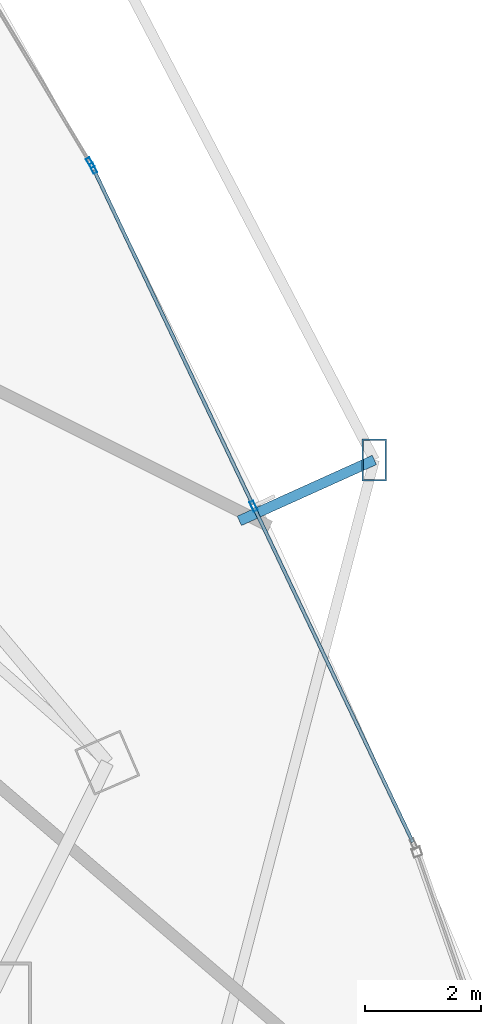
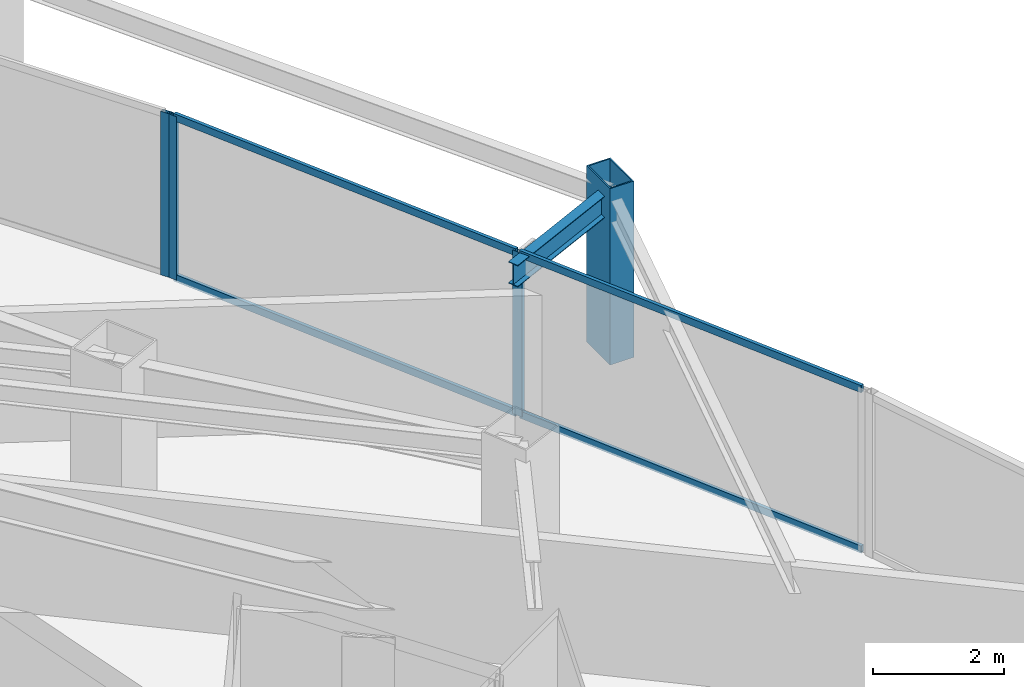
# One storey, part 19 of 35: 8 members, 1 beam, 2 elements without a shape of their own.
"""IFC4 building model written with IfcOpenShell, lengths in metres."""

from ifc_helpers import new_model, si_unit, direction, frame, origin, origin_2d, place, context, subcontext, project, spatial, hollow_rectangle, i_section, extrude, material, layer, layer_set, material_profile, profile_set, type_object, element, aggregate, save


model = new_model("IFC4")

# Units and contexts
model_context = context("Model", 3, precision=1e-05, world=origin(), true_north=direction((0.0, 1.0)))
body_context = subcontext(model_context, "Body", "Model", "MODEL_VIEW")
ifc_project = project(units=[si_unit("LENGTHUNIT", "METRE"), si_unit("AREAUNIT", "SQUARE_METRE"), si_unit("VOLUMEUNIT", "CUBIC_METRE"), si_unit("PLANEANGLEUNIT", "RADIAN"), si_unit("MASSUNIT", "GRAM", prefix="KILO")], contexts=[model_context])

# Site, building, storey
site_placement = place(None, origin())
site = spatial("IfcSite", under=ifc_project, at=site_placement, CompositionType="ELEMENT")
building_placement = place(site_placement, origin())
building = spatial("IfcBuilding", under=site, at=building_placement, Name="Orvanel Arch Residences", CompositionType="ELEMENT")
storey_placement = place(building_placement, frame((0.0, 0.0, 33.5)))
storey = spatial("IfcBuildingStorey", under=building, at=storey_placement, Name="L08", CompositionType="ELEMENT", Elevation=33.5)

# Member
ifc_material_1 = material(Name="Structural steel AS/NZS 3678 Grade 350", Category="steel")
ifc_material_profile_1 = material_profile(ifc_material_1, hollow_rectangle(XDim=0.419921875, YDim=0.719970703125, WallThickness=0.02490234375, at=origin_2d()), Name="RHS720x420x25")
ifc_profile_set_1 = profile_set([ifc_material_profile_1], Name="Structural steel AS/NZS 3678 Grade 350")
member_type_1 = type_object("IfcMemberType", Name="CH-720RHS-EXT", PredefinedType="CHORD", material=ifc_profile_set_1)
member_1_placement = place(storey_placement, frame((58.501953125, 19.7919921875, 0.0), z_axis=(0.0, 0.0, 1.0), x_axis=(1.0, 0.0, 0.0)))
element("IfcMember", 1, at=member_1_placement, inside=storey, type_object=member_type_1, Name="L08 Outer Perimeter Frame Post 09", PredefinedType="CHORD", context=body_context, shape_type="SweptSolid", body=[
    extrude(hollow_rectangle(XDim=0.419921875, YDim=0.719970703125, WallThickness=0.02490234375, at=origin_2d()), origin(), (0.0, 0.0, 1.0), 3.300048828125),
])

# Curtain wall, members
ifc_material_2 = material(Name="Bronze-anodised aluminium AA6063-T6", Category="aluminium")
ifc_layer = layer(ifc_material_2, 0.179931640625)
ifc_layer_set = layer_set([ifc_layer], Name="Bronze-anodised aluminium AA6063-T6")
curtain_wall_type = type_object("IfcCurtainWallType", Name="CW2-LOW-SYS", PredefinedType="NOTDEFINED", material=ifc_layer_set)
curtain_wall_1_placement = place(storey_placement, origin())
curtain_wall_1 = element("IfcCurtainWall", 2, at=curtain_wall_1_placement, inside=storey, type_object=curtain_wall_type, Name="L08 CW2-LOW-SYS Unitised Curtain Wall", PredefinedType="NOTDEFINED")
ifc_material_profile_2 = material_profile(ifc_material_2, hollow_rectangle(XDim=0.070068359375, YDim=0.179931640625, WallThickness=0.00439453125, at=origin_2d()), Name="ALU180x70x4.5")
ifc_profile_set_2 = profile_set([ifc_material_profile_2], Name="Bronze-anodised aluminium AA6063-T6")
member_type_2 = type_object("IfcMemberType", Name="MUL-180x70", PredefinedType="MULLION", material=ifc_profile_set_2)
member_2_placement = place(storey_placement, frame((56.42041015625, 18.9970703125, 0.0), z_axis=(0.0, 0.0, 1.0), x_axis=(-0.903506444237, -0.4285745037, 0.0)))
member_2 = element("IfcMember", 3, at=member_2_placement, type_object=member_type_2, Name="CW-S2 mullion 2", PredefinedType="MULLION", context=body_context, shape_type="SweptSolid", body=[
    extrude(hollow_rectangle(XDim=0.070068359375, YDim=0.179931640625, WallThickness=0.00439453125, at=origin_2d()), origin(), (0.0, 0.0, 1.0), 3.06005859375),
])
member_3_placement = place(storey_placement, frame((53.662109375, 24.812255859375, 0.0), z_axis=(0.0, 0.0, 1.0), x_axis=(-0.903506444237, -0.4285745037, 0.0)))
member_3 = element("IfcMember", 4, at=member_3_placement, type_object=member_type_2, Name="CW-S2 mullion 3", PredefinedType="MULLION", context=body_context, shape_type="SweptSolid", body=[
    extrude(hollow_rectangle(XDim=0.070068359375, YDim=0.179931640625, WallThickness=0.00439453125, at=origin_2d()), origin(), (0.0, 0.0, 1.0), 3.06005859375),
])

# Curtain wall, member
curtain_wall_2_placement = place(storey_placement, origin())
curtain_wall_2 = element("IfcCurtainWall", 5, at=curtain_wall_2_placement, inside=storey, type_object=curtain_wall_type, Name="L08 CW2-LOW-SYS Unitised Curtain Wall", PredefinedType="NOTDEFINED")
member_4_placement = place(storey_placement, frame((53.610107421875, 24.908935546875, 0.0), z_axis=(0.0, 0.0, 1.0), x_axis=(-0.857554559604, -0.514393018326, 0.0)))
member_4 = element("IfcMember", 6, at=member_4_placement, type_object=member_type_2, Name="CW-S2 mullion 1", PredefinedType="MULLION", context=body_context, shape_type="SweptSolid", body=[
    extrude(hollow_rectangle(XDim=0.070068359375, YDim=0.179931640625, WallThickness=0.00439453125, at=origin_2d()), origin(), (0.0, 0.0, 1.0), 3.06005859375),
])
aggregate(curtain_wall_2, [member_4])

# Beam
ifc_material_3 = material(Name="Structural steel AS/NZS 3679.1 Grade 300 (300 MPa)", Category="steel")
ifc_material_profile_3 = material_profile(ifc_material_3, i_section(OverallWidth=0.177978515625, OverallDepth=0.406005859375, WebThickness=0.0078125, FlangeThickness=0.0126953125, at=origin_2d()), Name="410UB59.7")
ifc_profile_set_3 = profile_set([ifc_material_profile_3], Name="Structural steel AS/NZS 3679.1 Grade 300 (300 MPa)")
beam_type = type_object("IfcBeamType", Name="OB-410UB-EXT", PredefinedType="SPANDREL", material=ifc_profile_set_3)
beam_placement = place(storey_placement, frame((56.177978515625, 18.742919921875, 2.85693359375), z_axis=(0.911438944081, 0.41143535484, 0.0), x_axis=(-0.41143535484, 0.911438944081, 0.0)))
element("IfcBeam", 7, at=beam_placement, inside=storey, type_object=beam_type, Name="L08 Outer Frame Radial Tie Beam 09", PredefinedType="SPANDREL", context=body_context, shape_type="SweptSolid", body=[
    extrude(i_section(OverallWidth=0.177978515625, OverallDepth=0.406005859375, WebThickness=0.0078125, FlangeThickness=0.0126953125, at=origin_2d()), origin(), (0.0, 0.0, 1.0), 2.5498046875),
])

# Member
ifc_material_profile_4 = material_profile(ifc_material_2, hollow_rectangle(XDim=0.06005859375, YDim=0.135009765625, WallThickness=0.00390625, at=origin_2d()), Name="ALU135x60x4")
ifc_profile_set_4 = profile_set([ifc_material_profile_4], Name="Bronze-anodised aluminium AA6063-T6")
member_type_3 = type_object("IfcMemberType", Name="TRN-135x60", PredefinedType="USERDEFINED", material=ifc_profile_set_4)
member_5_placement = place(storey_placement, frame((59.1640625, 13.213134765625, 0.030029296875), z_axis=(-0.428572568271, 0.903507362297, 0.0), x_axis=(-0.903507362297, -0.428572568271, 0.0)))
member_5 = element("IfcMember", 8, at=member_5_placement, type_object=member_type_3, Name="CW-S2 transom 1.1", ObjectType="TRANSOM", PredefinedType="USERDEFINED", context=body_context, shape_type="SweptSolid", body=[
    extrude(hollow_rectangle(XDim=0.06005859375, YDim=0.135009765625, WallThickness=0.00390625, at=origin_2d()), origin(), (0.0, 0.0, 1.0), 6.366455078125),
])

member_6_placement = place(storey_placement, frame((59.1640625, 13.213134765625, 3.030029296875), z_axis=(-0.428572568271, 0.903507362297, 0.0), x_axis=(-0.903507362297, -0.428572568271, 0.0)))
member_6 = element("IfcMember", 9, at=member_6_placement, type_object=member_type_3, Name="CW-S2 transom 1.2", ObjectType="TRANSOM", PredefinedType="USERDEFINED", context=body_context, shape_type="SweptSolid", body=[
    extrude(hollow_rectangle(XDim=0.06005859375, YDim=0.135009765625, WallThickness=0.00390625, at=origin_2d()), origin(), (0.0, 0.0, 1.0), 6.366455078125),
])

member_7_placement = place(storey_placement, frame((56.405517578125, 19.028564453125, 0.030029296875), z_axis=(-0.428572568271, 0.903507362297, 0.0), x_axis=(-0.903507362297, -0.428572568271, 0.0)))
member_7 = element("IfcMember", 10, at=member_7_placement, type_object=member_type_3, Name="CW-S2 transom 2.1", ObjectType="TRANSOM", PredefinedType="USERDEFINED", context=body_context, shape_type="SweptSolid", body=[
    extrude(hollow_rectangle(XDim=0.06005859375, YDim=0.135009765625, WallThickness=0.00390625, at=origin_2d()), origin(), (0.0, 0.0, 1.0), 6.366455078125),
])

member_8_placement = place(storey_placement, frame((56.405517578125, 19.028564453125, 3.030029296875), z_axis=(-0.428572568271, 0.903507362297, 0.0), x_axis=(-0.903507362297, -0.428572568271, 0.0)))
member_8 = element("IfcMember", 11, at=member_8_placement, type_object=member_type_3, Name="CW-S2 transom 2.2", ObjectType="TRANSOM", PredefinedType="USERDEFINED", context=body_context, shape_type="SweptSolid", body=[
    extrude(hollow_rectangle(XDim=0.06005859375, YDim=0.135009765625, WallThickness=0.00390625, at=origin_2d()), origin(), (0.0, 0.0, 1.0), 6.366455078125),
])

aggregate(curtain_wall_1, [member_2, member_3, member_5, member_6, member_7, member_8])

save(model, "model.ifc")
